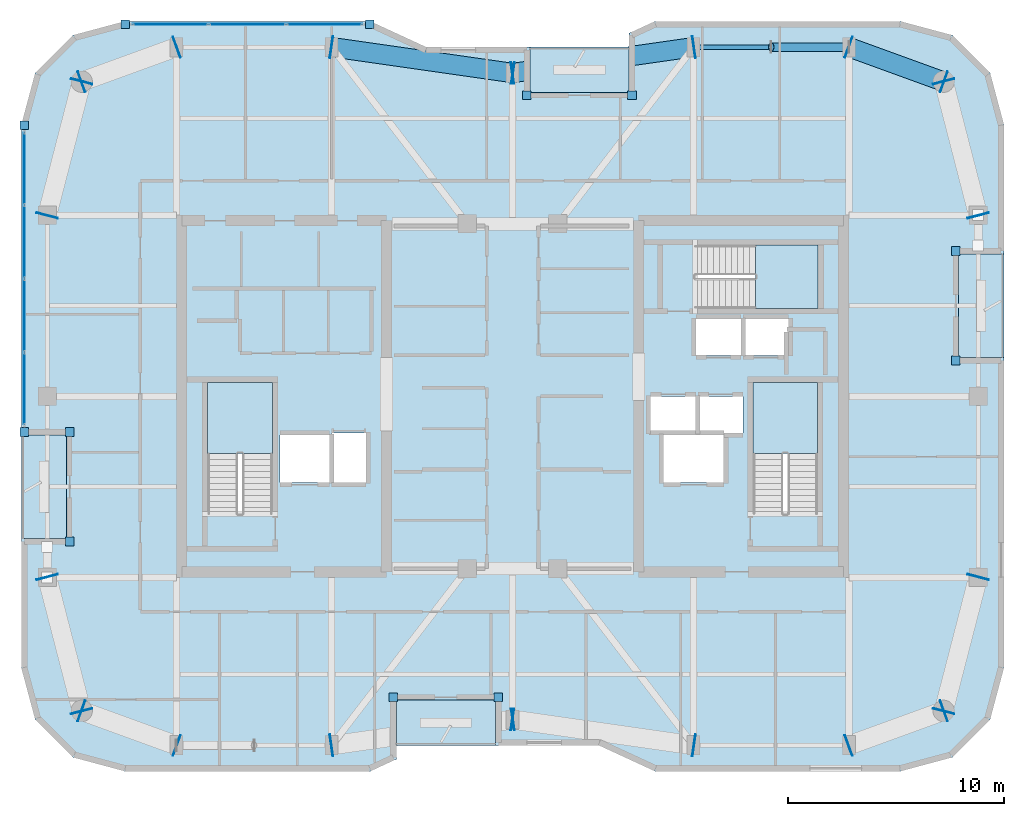
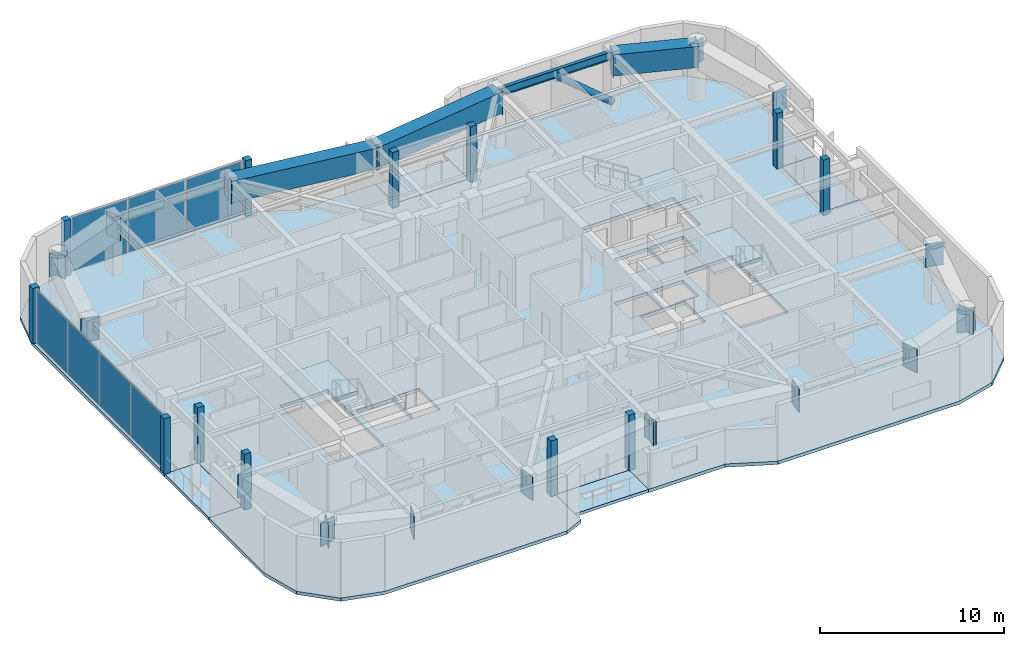
# One storey, part 7 of 16: 43 plates, 8 slabs, 4 beams, 1 member, 5 elements without a shape of their own.
"""IFC4 building model written with IfcOpenShell, lengths in metres."""

from ifc_helpers import new_model, si_unit, direction, frame, origin, origin_2d, place, context, subcontext, project, spatial, polyline, rectangle, hollow_rectangle, hollow_circle, i_section, outline, extrude, material, layer, layer_set, material_profile, profile_set, type_object, element, aggregate, save


model = new_model("IFC4")

# Units and contexts
model_context = context("Model", 3, precision=1e-05, world=origin(), true_north=direction((0.0, 1.0)))
body_context = subcontext(model_context, "Body", "Model", "MODEL_VIEW")
ifc_project = project(units=[si_unit("LENGTHUNIT", "METRE"), si_unit("AREAUNIT", "SQUARE_METRE"), si_unit("VOLUMEUNIT", "CUBIC_METRE"), si_unit("PLANEANGLEUNIT", "RADIAN"), si_unit("MASSUNIT", "GRAM", prefix="KILO")], contexts=[model_context])

# Site, building, storey
site_placement = place(None, origin())
site = spatial("IfcSite", under=ifc_project, at=site_placement, CompositionType="ELEMENT")
building_placement = place(site_placement, origin())
building = spatial("IfcBuilding", under=site, at=building_placement, Name="Kiyonajd Concourse Tower", CompositionType="ELEMENT")
storey_placement = place(building_placement, frame((0.0, 0.0, 306.300048828125)))
storey = spatial("IfcBuildingStorey", under=building, at=storey_placement, Name="L77", CompositionType="ELEMENT", Elevation=306.300048828125)

# Beams
ifc_material_1 = material(Name="Steel ASTM A992 Grade 50", Category="steel")
ifc_material_profile_1 = material_profile(ifc_material_1, i_section(OverallWidth=0.2109375, OverallDepth=0.5390625, WebThickness=0.01171875, FlangeThickness=0.018798828125, at=origin_2d()), Name="W530X109")
ifc_profile_set_1 = profile_set([ifc_material_profile_1], Name="Steel ASTM A992 Grade 50")
beam_type_1 = type_object("IfcBeamType", Name="BM-SPAN-530B", PredefinedType="SPANDREL", material=ifc_profile_set_1)
beam_1_placement = place(storey_placement, frame((63.60009765625, 52.199951171875, 3.410400390625), z_axis=(-1.0, 0.0, 0.0), x_axis=(0.0, -1.0, 0.0)))
element("IfcBeam", 1, at=beam_1_placement, inside=storey, type_object=beam_type_1, Name="L77 Perimeter Bundled Tube Spandrel", PredefinedType="SPANDREL", context=body_context, shape_type="SweptSolid", body=[
    extrude(i_section(OverallWidth=0.2109375, OverallDepth=0.5390625, WebThickness=0.01171875, FlangeThickness=0.018798828125, at=origin_2d()), origin(), (0.0, 0.0, 1.0), 7.2001953125),
])
ifc_material_2 = material(Name="Steel ASTM A572 Grade 50", Category="steel")
ifc_material_profile_2 = material_profile(ifc_material_2, hollow_rectangle(XDim=0.89990234375, YDim=1.39990234375, WallThickness=0.070068359375, at=origin_2d()), Name="BOX-1400x900x70")
ifc_profile_set_2 = profile_set([ifc_material_profile_2], Name="Steel ASTM A572 Grade 50")
beam_type_2 = type_object("IfcBeamType", Name="BM-XFER-1400", PredefinedType="BEAM", material=ifc_profile_set_2)
beam_2_placement = place(storey_placement, frame((68.0, 50.60009765625, 2.97998046875), z_axis=(-0.939801036019, 0.341722127901, 0.0), x_axis=(-0.341722127901, -0.939801036019, 0.0)))
element("IfcBeam", 2, at=beam_2_placement, inside=storey, type_object=beam_type_2, Name="L77 Perimeter Bundled Tube Spandrel", PredefinedType="BEAM", context=body_context, shape_type="SweptSolid", body=[
    extrude(hollow_rectangle(XDim=0.89990234375, YDim=1.39990234375, WallThickness=0.070068359375, at=origin_2d()), origin(), (0.0, 0.0, 1.0), 4.681640625),
])
for number, where, z_axis, x_axis, name in (
    (3, (56.39990234375, 52.199951171875, 2.97998046875), (-0.989950069105, -0.141417328072, 0.0), (0.141417328072, -0.989950069105, 0.0), "L77 Perimeter Bundled Tube Spandrel"),
    (4, (48.0, 51.0, 2.97998046875), (-0.989950069105, 0.141417328072, 0.0), (-0.141417328072, -0.989950069105, 0.0), "L77 Perimeter Bundled Tube Spandrel"),
):
    element("IfcBeam", number, at=place(storey_placement, frame(where, z_axis=z_axis, x_axis=x_axis)), inside=storey, type_object=beam_type_2, Name=name, PredefinedType="BEAM", context=body_context, shape_type="SweptSolid", body=[
        extrude(hollow_rectangle(XDim=0.89990234375, YDim=1.39990234375, WallThickness=0.070068359375, at=origin_2d()), origin(), (0.0, 0.0, 1.0), 8.485107421875),
    ])

# Member
ifc_material_3 = material(Name="Steel ASTM A500 Grade C", Category="steel")
ifc_material_profile_3 = material_profile(ifc_material_3, hollow_circle(Radius=0.202880859375, WallThickness=0.01904296875, at=origin_2d()), Name="CHS-406x19")
ifc_profile_set_3 = profile_set([ifc_material_profile_3], Name="Steel ASTM A500 Grade C")
member_type = type_object("IfcMemberType", Name="MB-PB-HIGH", PredefinedType="BRACE", material=ifc_profile_set_3)
member_placement = place(storey_placement, frame((63.60009765625, 52.199951171875, 0.300048828125), z_axis=(-0.765107605277, 0.0, 0.643902440085), x_axis=(0.0, -1.0, 0.0)))
element("IfcMember", 5, at=member_placement, inside=storey, type_object=member_type, Name="L77 Upper Zone Hollow Tube Brace PBN", PredefinedType="BRACE", context=body_context, shape_type="SweptSolid", body=[
    extrude(hollow_circle(Radius=0.202880859375, WallThickness=0.01904296875, at=origin_2d()), origin(), (0.0, 0.0, 1.0), 4.705322265625),
])

# Plates
ifc_layer_1 = layer(ifc_material_2, 0.031982421875)
ifc_layer_set_1 = layer_set([ifc_layer_1], Name="Steel ASTM A572 Grade 50")
plate_type_1 = type_object("IfcPlateType", Name="PL-CAP-540", PredefinedType="USERDEFINED", material=ifc_layer_set_1)
for number, where, z_axis, x_axis, name in (
    (6, (26.397216796875, 27.610595703125, 2.2099609375), (0.0, 0.0, 1.0), (-0.249873048837, 0.968278606324, 0.0), "L77 Welded Box Girder End Cap"),
    (7, (28.002685546875, 21.389404296875, 2.2099609375), (0.0, 0.0, 1.0), (0.249873048837, -0.968278606324, 0.0), "L77 Welded Box Girder End Cap"),
    (8, (27.98974609375, 21.40380859375, 2.2099609375), (0.0, 0.0, 1.0), (-0.939811951086, 0.341692107891, 0.0), "L77 Welded Box Girder End Cap"),
    (9, (32.410400390625, 19.796142578125, 2.2099609375), (0.0, 0.0, 1.0), (0.939811951086, -0.341692107891, 0.0), "L77 Welded Box Girder End Cap"),
    (10, (39.589111328125, 19.79833984375, 2.2099609375), (0.0, 0.0, 1.0), (-0.989949746297, -0.141419587774, 0.0), "L77 Welded Box Girder End Cap"),
    (11, (48.010986328125, 21.001708984375, 2.2099609375), (0.0, 0.0, 1.0), (0.989949746297, 0.141419587774, 0.0), "L77 Welded Box Girder End Cap"),
    (12, (47.989013671875, 21.001708984375, 2.2099609375), (0.0, 0.0, 1.0), (-0.989949746297, 0.141419587774, 0.0), "L77 Welded Box Girder End Cap"),
    (13, (56.410888671875, 19.79833984375, 2.2099609375), (0.0, 0.0, 1.0), (0.989949746297, -0.141419587774, 0.0), "L77 Welded Box Girder End Cap"),
    (14, (63.589599609375, 19.796142578125, 2.2099609375), (0.0, 0.0, 1.0), (-0.939811951086, -0.341692107891, 0.0), "L77 Welded Box Girder End Cap"),
    (15, (68.01025390625, 21.40380859375, 2.2099609375), (0.0, 0.0, 1.0), (0.939811951086, 0.341692107891, 0.0), "L77 Welded Box Girder End Cap"),
    (16, (67.997314453125, 21.389404296875, 2.2099609375), (0.0, 0.0, 1.0), (-0.249873048837, -0.968278606324, 0.0), "L77 Welded Box Girder End Cap"),
    (17, (69.602783203125, 27.610595703125, 2.2099609375), (0.0, 0.0, 1.0), (0.249873048837, 0.968278606324, 0.0), "L77 Welded Box Girder End Cap"),
    (18, (69.602783203125, 44.389404296875, 2.2099609375), (0.0, 0.0, 1.0), (0.249873048837, -0.968278606324, 0.0), "L77 Welded Box Girder End Cap"),
    (19, (67.997314453125, 50.610595703125, 2.2099609375), (0.0, 0.0, 1.0), (-0.249873048837, 0.968278606324, 0.0), "L77 Welded Box Girder End Cap"),
    (20, (68.01025390625, 50.59619140625, 2.2099609375), (0.0, 0.0, 1.0), (0.939811951086, -0.341692107891, 0.0), "L77 Welded Box Girder End Cap"),
    (21, (63.589599609375, 52.203857421875, 2.2099609375), (0.0, 0.0, 1.0), (-0.939811951086, 0.341692107891, 0.0), "L77 Welded Box Girder End Cap"),
    (22, (56.410888671875, 52.20166015625, 2.2099609375), (0.0, 0.0, 1.0), (0.989949746297, 0.141419587774, 0.0), "L77 Welded Box Girder End Cap"),
    (23, (47.989013671875, 50.998291015625, 2.2099609375), (0.0, 0.0, 1.0), (-0.989949746297, -0.141419587774, 0.0), "L77 Welded Box Girder End Cap"),
    (24, (48.010986328125, 50.998291015625, 2.2099609375), (0.0, 0.0, 1.0), (0.989949746297, -0.141419587774, 0.0), "L77 Welded Box Girder End Cap"),
    (25, (39.589111328125, 52.20166015625, 2.2099609375), (0.0, 0.0, 1.0), (-0.989949746297, 0.141419587774, 0.0), "L77 Welded Box Girder End Cap"),
    (26, (32.410400390625, 52.203857421875, 2.2099609375), (0.0, 0.0, 1.0), (0.939811951086, 0.341692107891, 0.0), "L77 Welded Box Girder End Cap"),
    (27, (27.98974609375, 50.59619140625, 2.2099609375), (0.0, 0.0, 1.0), (-0.939811951086, -0.341692107891, 0.0), "L77 Welded Box Girder End Cap"),
    (28, (28.002685546875, 50.610595703125, 2.2099609375), (0.0, 0.0, 1.0), (0.249873048837, 0.968278606324, 0.0), "L77 Welded Box Girder End Cap"),
    (29, (26.397216796875, 44.389404296875, 2.2099609375), (0.0, 0.0, 1.0), (-0.249873048837, -0.968278606324, 0.0), "L77 Welded Box Girder End Cap"),
):
    element("IfcPlate", number, at=place(storey_placement, frame(where, z_axis=z_axis, x_axis=x_axis)), inside=storey, type_object=plate_type_1, Name=name, ObjectType="CAP PLATE", PredefinedType="USERDEFINED", context=body_context, shape_type="SweptSolid", body=[
        extrude(rectangle(XDim=0.035888671875, YDim=1.02001953125, at=origin_2d()), origin(), (0.0, 0.0, 1.0), 1.5400390625),
    ])

# Curtain wall, plates
ifc_material_4 = material(Name="Thermally Broken Anodised Aluminium", Category="aluminium")
ifc_layer_2 = layer(ifc_material_4, 0.179931640625)
ifc_layer_set_2 = layer_set([ifc_layer_2], Name="Thermally Broken Anodised Aluminium")
curtain_wall_type = type_object("IfcCurtainWallType", Name="CW-SYS-04", PredefinedType="NOTDEFINED", material=ifc_layer_set_2)
curtain_wall_1_placement = place(storey_placement, origin())
curtain_wall_1 = element("IfcCurtainWall", 30, at=curtain_wall_1_placement, inside=storey, type_object=curtain_wall_type, Name="L77 Unitised Curtain Wall CW4", PredefinedType="NOTDEFINED")
ifc_material_5 = material(Name="Double Low-E Insulated Glass", Category="glass")
ifc_layer_3 = layer(ifc_material_5, 0.033935546875)
ifc_layer_set_3 = layer_set([ifc_layer_3], Name="Double Low-E Insulated Glass")
plate_type_2 = type_object("IfcPlateType", Name="PL-CW-VIS34", PredefinedType="CURTAIN_PANEL", material=ifc_layer_set_3)
plate_1_placement = place(storey_placement, frame((25.340087890625, 36.35400390625, 0.06494140625), z_axis=(0.0, 0.0, 1.0), x_axis=(0.0, 1.0, 0.0)))
plate_1 = element("IfcPlate", 31, at=plate_1_placement, type_object=plate_type_2, Name="CW4 panel 1.1", PredefinedType="CURTAIN_PANEL", context=body_context, shape_type="SweptSolid", body=[
    extrude(rectangle(XDim=3.31787109375, YDim=0.033935546875, at=origin_2d()), origin(), (0.0, 0.0, 1.0), 3.550048828125),
])
plate_2_placement = place(storey_placement, frame((25.340087890625, 39.753173828125, 0.06494140625), z_axis=(0.0, 0.0, 1.0), x_axis=(0.0, 1.0, 0.0)))
plate_2 = element("IfcPlate", 32, at=plate_2_placement, type_object=plate_type_2, Name="CW4 panel 2.1", PredefinedType="CURTAIN_PANEL", context=body_context, shape_type="SweptSolid", body=[
    extrude(rectangle(XDim=3.350341796875, YDim=0.033935546875, at=origin_2d()), origin(), (0.0, 0.0, 1.0), 3.550048828125),
])
plate_3_placement = place(storey_placement, frame((25.340087890625, 43.16845703125, 0.06494140625), z_axis=(0.0, 0.0, 1.0), x_axis=(0.0, 1.0, 0.0)))
plate_3 = element("IfcPlate", 33, at=plate_3_placement, type_object=plate_type_2, Name="CW4 panel 3.1", PredefinedType="CURTAIN_PANEL", context=body_context, shape_type="SweptSolid", body=[
    extrude(rectangle(XDim=3.350341796875, YDim=0.033935546875, at=origin_2d()), origin(), (0.0, 0.0, 1.0), 3.550048828125),
])
plate_4_placement = place(storey_placement, frame((25.340087890625, 46.567626953125, 0.06494140625), z_axis=(0.0, 0.0, 1.0), x_axis=(0.0, 1.0, 0.0)))
plate_4 = element("IfcPlate", 34, at=plate_4_placement, type_object=plate_type_2, Name="CW4 panel 4.1", PredefinedType="CURTAIN_PANEL", context=body_context, shape_type="SweptSolid", body=[
    extrude(rectangle(XDim=3.31787109375, YDim=0.033935546875, at=origin_2d()), origin(), (0.0, 0.0, 1.0), 3.550048828125),
])
aggregate(curtain_wall_1, [plate_1, plate_2, plate_3, plate_4])

curtain_wall_2_placement = place(storey_placement, origin())
curtain_wall_2 = element("IfcCurtainWall", 35, at=curtain_wall_2_placement, inside=storey, type_object=curtain_wall_type, Name="L77 Unitised Curtain Wall CW4", PredefinedType="NOTDEFINED")
plate_5_placement = place(storey_placement, frame((32.119873046875, 53.260009765625, 0.06494140625), z_axis=(0.0, 0.0, 1.0), x_axis=(1.0, 0.0, 0.0)))
plate_5 = element("IfcPlate", 36, at=plate_5_placement, type_object=plate_type_2, Name="CW4 panel 1.1", PredefinedType="CURTAIN_PANEL", context=body_context, shape_type="SweptSolid", body=[
    extrude(rectangle(XDim=3.492919921875, YDim=0.033935546875, at=origin_2d()), origin(), (0.0, 0.0, 1.0), 3.550048828125),
])
plate_6_placement = place(storey_placement, frame((35.69384765625, 53.260009765625, 0.06494140625), z_axis=(0.0, 0.0, 1.0), x_axis=(1.0, 0.0, 0.0)))
plate_6 = element("IfcPlate", 37, at=plate_6_placement, type_object=plate_type_2, Name="CW4 panel 2.1", PredefinedType="CURTAIN_PANEL", context=body_context, shape_type="SweptSolid", body=[
    extrude(rectangle(XDim=3.525390625, YDim=0.033935546875, at=origin_2d()), origin(), (0.0, 0.0, 1.0), 3.550048828125),
])
plate_7_placement = place(storey_placement, frame((39.267822265625, 53.260009765625, 0.06494140625), z_axis=(0.0, 0.0, 1.0), x_axis=(1.0, 0.0, 0.0)))
plate_7 = element("IfcPlate", 38, at=plate_7_placement, type_object=plate_type_2, Name="CW4 panel 3.1", PredefinedType="CURTAIN_PANEL", context=body_context, shape_type="SweptSolid", body=[
    extrude(rectangle(XDim=3.492919921875, YDim=0.033935546875, at=origin_2d()), origin(), (0.0, 0.0, 1.0), 3.550048828125),
])
aggregate(curtain_wall_2, [plate_5, plate_6, plate_7])

# Plates
ifc_layer_4 = layer(ifc_material_4, 0.39990234375)
ifc_layer_set_4 = layer_set([ifc_layer_4], Name="Thermally Broken Anodised Aluminium")
plate_type_3 = type_object("IfcPlateType", Name="PL-JMB-400", PredefinedType="USERDEFINED", material=ifc_layer_set_4)
for number, where, z_axis, x_axis, name in (
    (39, (27.43994140625, 29.260009765625, 0.0), (0.0, 0.0, 1.0), (1.0, 0.0, 0.0), "L77 Facade Jamb Closure Plate 01"),
    (40, (27.43994140625, 34.340087890625, 0.0), (0.0, 0.0, 1.0), (1.0, 0.0, 0.0), "L77 Facade Jamb Closure Plate 02"),
    (41, (25.340087890625, 34.340087890625, 0.0), (0.0, 0.0, 1.0), (1.0, 0.0, 0.0), "L77 Facade Jamb Closure Plate 03"),
    (42, (25.340087890625, 48.58154296875, 0.0), (0.0, 0.0, 1.0), (1.0, 0.0, 0.0), "L77 Facade Jamb Closure Plate 04"),
    (43, (30.018310546875, 53.260009765625, 0.0), (0.0, 0.0, 1.0), (1.0, 0.0, 0.0), "L77 Facade Jamb Closure Plate 05"),
    (44, (41.369384765625, 53.260009765625, 0.0), (0.0, 0.0, 1.0), (1.0, 0.0, 0.0), "L77 Facade Jamb Closure Plate 06"),
    (45, (48.659912109375, 49.9599609375, 0.0), (0.0, 0.0, 1.0), (1.0, 0.0, 0.0), "L77 Facade Jamb Closure Plate 07"),
    (46, (53.5400390625, 49.9599609375, 0.0), (0.0, 0.0, 1.0), (1.0, 0.0, 0.0), "L77 Facade Jamb Closure Plate 08"),
    (47, (68.56005859375, 42.739990234375, 0.0), (0.0, 0.0, 1.0), (1.0, 0.0, 0.0), "L77 Facade Jamb Closure Plate 09"),
    (48, (68.56005859375, 37.659912109375, 0.0), (0.0, 0.0, 1.0), (1.0, 0.0, 0.0), "L77 Facade Jamb Closure Plate 10"),
    (49, (47.340087890625, 22.0400390625, 0.0), (0.0, 0.0, 1.0), (1.0, 0.0, 0.0), "L77 Facade Jamb Closure Plate 11"),
    (50, (42.4599609375, 22.0400390625, 0.0), (0.0, 0.0, 1.0), (1.0, 0.0, 0.0), "L77 Facade Jamb Closure Plate 12"),
):
    element("IfcPlate", number, at=place(storey_placement, frame(where, z_axis=z_axis, x_axis=x_axis)), inside=storey, type_object=plate_type_3, Name=name, ObjectType="JAMB PLATE", PredefinedType="USERDEFINED", context=body_context, shape_type="SweptSolid", body=[
        extrude(rectangle(XDim=0.39990234375, YDim=0.39990234375, at=origin_2d()), origin(), (0.0, 0.0, 1.0), 3.679931640625),
    ])

# Stair, slab
ifc_material_6 = material(Name="Concrete C40/50", Category="concrete")
stair_type = type_object("IfcStairType", Name="ST-DLG-22R", PredefinedType="HALF_TURN_STAIR", material=ifc_material_6)
stair_1_placement = place(storey_placement, origin())
stair_1 = element("IfcStair", 51, at=stair_1_placement, inside=storey, type_object=stair_type, Name="L77 Protected Exit Stair ST1", PredefinedType="HALF_TURN_STAIR")
ifc_layer_5 = layer(ifc_material_6, 0.199951171875)
ifc_layer_set_5 = layer_set([ifc_layer_5], Name="Concrete C40/50")
slab_type_1 = type_object("IfcSlabType", Name="SL-LND-200", PredefinedType="LANDING", material=ifc_layer_set_5)
slab_1_placement = place(storey_placement, frame((0.0, 0.0, 1.75)))
slab_1 = element("IfcSlab", 52, at=slab_1_placement, type_object=slab_type_1, Name="ST1 landing 1", PredefinedType="LANDING", context=body_context, shape_type="SweptSolid", body=[
    extrude(outline(polyline([(36.85009765625, 33.35009765625), (36.85009765625, 36.64990234375), (33.85009765625, 36.64990234375), (33.85009765625, 33.35009765625), (36.85009765625, 33.35009765625)])), origin(), (0.0, 0.0, 1.0), 0.199951171875),
])
aggregate(stair_1, [slab_1])

stair_2_placement = place(storey_placement, origin())
stair_2 = element("IfcStair", 53, at=stair_2_placement, inside=storey, type_object=stair_type, Name="L77 Protected Exit Stair ST2", PredefinedType="HALF_TURN_STAIR")
slab_2_placement = place(storey_placement, frame((0.0, 0.0, 1.75)))
slab_2 = element("IfcSlab", 54, at=slab_2_placement, type_object=slab_type_1, Name="ST2 landing 1", PredefinedType="LANDING", context=body_context, shape_type="SweptSolid", body=[
    extrude(outline(polyline([(62.14990234375, 33.35009765625), (62.14990234375, 36.64990234375), (59.14990234375, 36.64990234375), (59.14990234375, 33.35009765625), (62.14990234375, 33.35009765625)])), origin(), (0.0, 0.0, 1.0), 0.199951171875),
])
aggregate(stair_2, [slab_2])

stair_3_placement = place(storey_placement, origin())
stair_3 = element("IfcStair", 55, at=stair_3_placement, inside=storey, type_object=stair_type, Name="L77 Protected Exit Stair ST3", PredefinedType="HALF_TURN_STAIR")
slab_3_placement = place(storey_placement, frame((0.0, 0.0, 1.75)))
slab_3 = element("IfcSlab", 56, at=slab_3_placement, type_object=slab_type_1, Name="ST3 landing 1", PredefinedType="LANDING", context=body_context, shape_type="SweptSolid", body=[
    extrude(outline(polyline([(59.280029296875, 40.080078125), (62.179931640625, 40.080078125), (62.179931640625, 43.02001953125), (59.280029296875, 43.02001953125), (59.280029296875, 40.080078125)])), origin(), (0.0, 0.0, 1.0), 0.199951171875),
])
aggregate(stair_3, [slab_3])

# Slabs
ifc_material_7 = material(Name="Precast concrete C50/60", Category="concrete")
ifc_layer_6 = layer(ifc_material_7, 0.199951171875)
ifc_layer_set_6 = layer_set([ifc_layer_6], Name="Precast concrete C50/60")
slab_type_2 = type_object("IfcSlabType", Name="SL-LOG-200", PredefinedType="FLOOR", material=ifc_layer_set_6)
slab_4_placement = place(storey_placement, frame((0.0, 0.0, -0.199951171875)))
element("IfcSlab", 57, at=slab_4_placement, inside=storey, type_object=slab_type_2, Name="L77 Recessed Engawa Loggia Terrace Slab LOG-S", PredefinedType="FLOOR", context=body_context, shape_type="SweptSolid", body=[
    extrude(outline(polyline([(42.60009765625, 19.800048828125), (47.199951171875, 19.800048828125), (47.199951171875, 21.89990234375), (42.60009765625, 21.89990234375), (42.60009765625, 19.800048828125)])), origin(), (0.0, 0.0, 1.0), 0.199951171875),
])
slab_5_placement = place(storey_placement, frame((0.0, 0.0, -0.199951171875)))
element("IfcSlab", 58, at=slab_5_placement, inside=storey, type_object=slab_type_2, Name="L77 Recessed Engawa Loggia Terrace Slab LOG-N", PredefinedType="FLOOR", context=body_context, shape_type="SweptSolid", body=[
    extrude(outline(polyline([(48.800048828125, 50.10009765625), (53.39990234375, 50.10009765625), (53.39990234375, 52.199951171875), (48.800048828125, 52.199951171875), (48.800048828125, 50.10009765625)])), origin(), (0.0, 0.0, 1.0), 0.199951171875),
])
slab_6_placement = place(storey_placement, frame((0.0, 0.0, -0.199951171875)))
element("IfcSlab", 59, at=slab_6_placement, inside=storey, type_object=slab_type_2, Name="L77 Recessed Engawa Loggia Terrace Slab LOG-W", PredefinedType="FLOOR", context=body_context, shape_type="SweptSolid", body=[
    extrude(outline(polyline([(25.199951171875, 29.39990234375), (27.300048828125, 29.39990234375), (27.300048828125, 34.199951171875), (25.199951171875, 34.199951171875), (25.199951171875, 29.39990234375)])), origin(), (0.0, 0.0, 1.0), 0.199951171875),
])
slab_7_placement = place(storey_placement, frame((0.0, 0.0, -0.199951171875)))
element("IfcSlab", 60, at=slab_7_placement, inside=storey, type_object=slab_type_2, Name="L77 Recessed Engawa Loggia Terrace Slab LOG-E", PredefinedType="FLOOR", context=body_context, shape_type="SweptSolid", body=[
    extrude(outline(polyline([(68.699951171875, 37.800048828125), (70.800048828125, 37.800048828125), (70.800048828125, 42.60009765625), (68.699951171875, 42.60009765625), (68.699951171875, 37.800048828125)])), origin(), (0.0, 0.0, 1.0), 0.199951171875),
])
ifc_layer_7 = layer(ifc_material_6, 0.219970703125)
ifc_layer_set_7 = layer_set([ifc_layer_7], Name="Concrete C40/50")
slab_type_3 = type_object("IfcSlabType", Name="SL-TWR-220", PredefinedType="FLOOR", material=ifc_layer_set_7)
slab_8_placement = place(storey_placement, frame((0.0, 0.0, -0.219970703125)))
element("IfcSlab", 61, at=slab_8_placement, inside=storey, type_object=slab_type_3, Name="L77 Tower Conditioned Floor Slab", PredefinedType="FLOOR", context=body_context, shape_type="SweptSolid", body=[
    extrude(outline(polyline([(25.843017578125, 21.0), (25.199951171875, 23.39990234375), (25.199951171875, 29.39990234375), (27.300048828125, 29.39990234375), (27.300048828125, 34.199951171875), (25.199951171875, 34.199951171875), (25.199951171875, 48.60009765625), (25.843017578125, 51.0), (27.60009765625, 52.757080078125), (30.0, 53.39990234375), (41.39990234375, 53.39990234375), (44.0, 52.199951171875), (48.800048828125, 52.199951171875), (48.800048828125, 50.10009765625), (53.39990234375, 50.10009765625), (53.39990234375, 52.845947265625), (54.60009765625, 53.39990234375), (66.0, 53.39990234375), (68.39990234375, 52.757080078125), (70.156982421875, 51.0), (70.800048828125, 48.60009765625), (70.800048828125, 42.60009765625), (68.699951171875, 42.60009765625), (68.699951171875, 37.800048828125), (70.800048828125, 37.800048828125), (70.800048828125, 23.39990234375), (70.156982421875, 21.0), (68.39990234375, 19.242919921875), (66.0, 18.60009765625), (54.60009765625, 18.60009765625), (52.0, 19.800048828125), (47.199951171875, 19.800048828125), (47.199951171875, 21.89990234375), (42.60009765625, 21.89990234375), (42.60009765625, 19.154052734375), (41.39990234375, 18.60009765625), (30.0, 18.60009765625), (27.60009765625, 19.242919921875), (25.843017578125, 21.0)]), holes=[polyline([(39.5, 32.0), (37.199951171875, 32.0), (37.199951171875, 34.199951171875), (39.5, 34.199951171875), (39.5, 32.0)]), polyline([(57.800048828125, 32.0), (55.0, 32.0), (55.0, 34.199951171875), (57.800048828125, 34.199951171875), (57.800048828125, 32.0)]), polyline([(41.199951171875, 32.0), (39.60009765625, 32.0), (39.60009765625, 34.300048828125), (41.199951171875, 34.300048828125), (41.199951171875, 32.0)]), polyline([(33.85009765625, 30.550048828125), (33.85009765625, 36.64990234375), (36.85009765625, 36.64990234375), (36.85009765625, 30.550048828125), (33.85009765625, 30.550048828125)]), polyline([(59.14990234375, 30.550048828125), (59.14990234375, 36.64990234375), (62.14990234375, 36.64990234375), (62.14990234375, 30.550048828125), (59.14990234375, 30.550048828125)]), polyline([(56.5, 34.300048828125), (54.39990234375, 34.300048828125), (54.39990234375, 36.0), (56.5, 36.0), (56.5, 34.300048828125)]), polyline([(58.699951171875, 34.300048828125), (56.60009765625, 34.300048828125), (56.60009765625, 36.0), (58.699951171875, 36.0), (58.699951171875, 34.300048828125)]), polyline([(58.60009765625, 37.89990234375), (56.5, 37.89990234375), (56.5, 39.60009765625), (58.60009765625, 39.60009765625), (58.60009765625, 37.89990234375)]), polyline([(58.699951171875, 37.89990234375), (58.699951171875, 39.60009765625), (60.800048828125, 39.60009765625), (60.800048828125, 37.89990234375), (58.699951171875, 37.89990234375)]), polyline([(56.47998046875, 43.02001953125), (62.179931640625, 43.02001953125), (62.179931640625, 40.080078125), (56.47998046875, 40.080078125), (56.47998046875, 43.02001953125)])]), origin(), (0.0, 0.0, 1.0), 0.219970703125),
])

save(model, "model.ifc")
